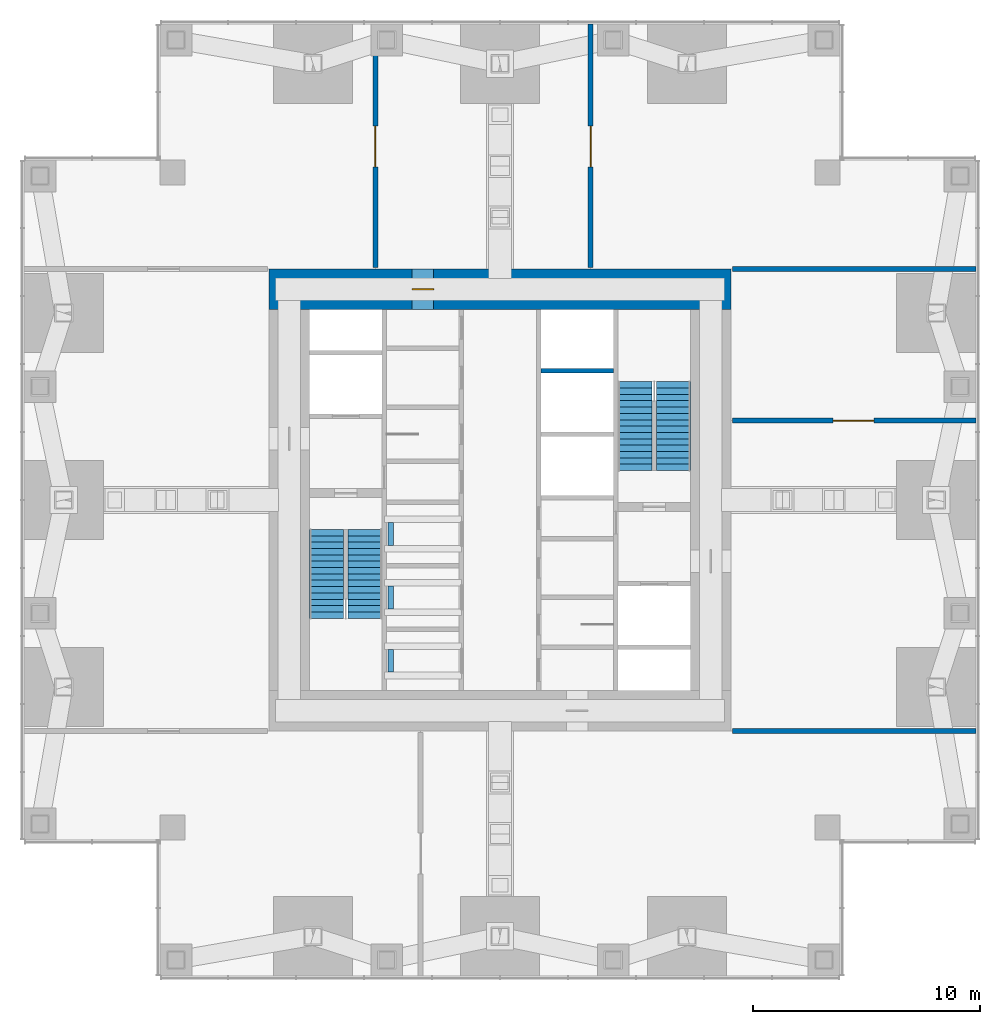
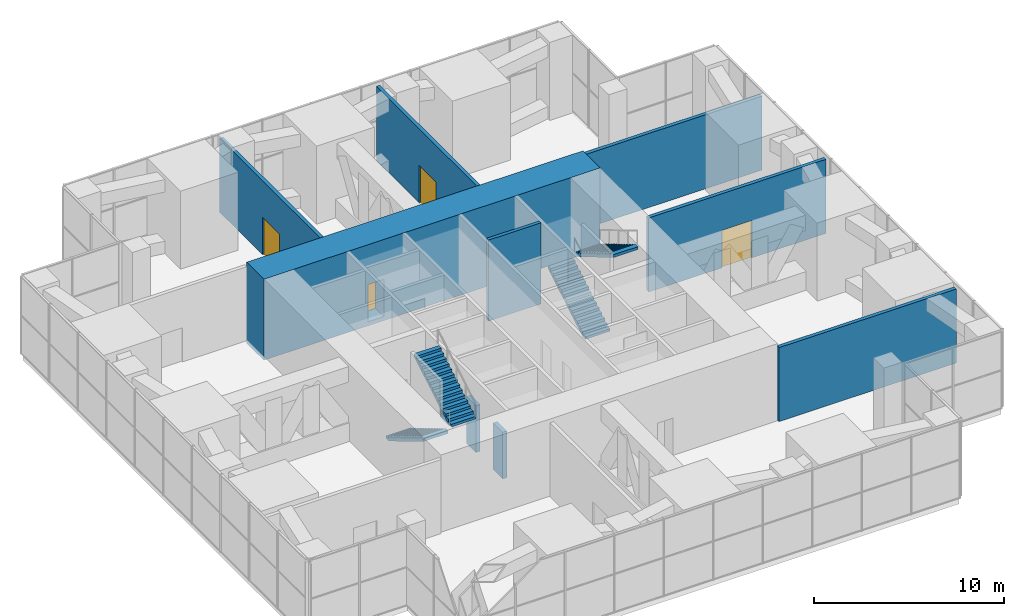
# One storey, part 12 of 13: 7 walls, 4 doors, 4 stair flights, 3 discrete accessories, 4 openings, 2 elements without a shape of their own.
"""IFC4 building model written with IfcOpenShell, lengths in metres."""

from ifc_helpers import new_model, si_unit, direction, frame, frame_2d, origin, origin_2d, place, context, subcontext, project, spatial, polyline, rectangle, outline, extrude, material, layer, layer_set, type_object, element, fill, aggregate, save


model = new_model("IFC4")

# Units and contexts
model_context = context("Model", 3, precision=1e-05, world=origin(), true_north=direction((0.0, 1.0)))
body_context = subcontext(model_context, "Body", "Model", "MODEL_VIEW")
ifc_project = project(units=[si_unit("LENGTHUNIT", "METRE"), si_unit("AREAUNIT", "SQUARE_METRE"), si_unit("VOLUMEUNIT", "CUBIC_METRE"), si_unit("PLANEANGLEUNIT", "RADIAN"), si_unit("MASSUNIT", "GRAM", prefix="KILO")], contexts=[model_context])

# Site, building, storey
site_placement = place(None, origin())
site = spatial("IfcSite", under=ifc_project, at=site_placement, CompositionType="ELEMENT")
building_placement = place(site_placement, origin())
building = spatial("IfcBuilding", under=site, at=building_placement, Name="Svetlomir Tower", CompositionType="ELEMENT")
storey_placement = place(building_placement, frame((0.0, 0.0, 86.5)))
storey = spatial("IfcBuildingStorey", under=building, at=storey_placement, Name="L20", CompositionType="ELEMENT", Elevation=86.5)

# Wall, opening, door
ifc_material_1 = material(Name="Dense concrete blockwork", Category="masonry")
ifc_layer_1 = layer(ifc_material_1, 0.215087890625)
ifc_layer_set_1 = layer_set([ifc_layer_1], Name="Dense concrete blockwork")
wall_type_1 = type_object("IfcWallType", Name="BLOCKWORK WALL 215", PredefinedType="PARTITIONING", material=ifc_layer_set_1)
wall_1_placement = place(storey_placement, frame((15.5, 31.25, 0.0), z_axis=(0.0, 0.0, 1.0), x_axis=(0.0, 1.0, 0.0)))
wall_1 = element("IfcWall", 1, at=wall_1_placement, inside=storey, type_object=wall_type_1, Name="Partition L20", PredefinedType="PARTITIONING", context=body_context, shape_type="SweptSolid", body=[
    extrude(rectangle(XDim=10.75, YDim=0.215087890625, at=frame_2d((5.375, 0.0))), origin(), (0.0, 0.0, 1.0), 4.75),
])
opening_1_placement = place(wall_1_placement, frame((4.449951171875, 0.0, 0.0)))
opening_1 = element("IfcOpeningElement", 2, at=opening_1_placement, cuts=wall_1, Name="Opening DP", PredefinedType="OPENING", context=body_context, shape_type="SweptSolid", body=[
    extrude(rectangle(XDim=1.800048828125, YDim=2.39990234375, at=frame_2d((0.89990234375, 1.199951171875))), frame((0.0, 0.11767578125, 0.0), z_axis=(0.0, -1.0, 0.0), x_axis=(1.0, 0.0, 0.0)), (0.0, 0.0, 1.0), 0.235107421875),
])
ifc_material_2 = material(Name="Steel fire door", Category="steel")
door_type_1 = type_object("IfcDoorType", Name="PLANT ROOM DOOR DP 1800x2400", OperationType="DOUBLE_DOOR_SINGLE_SWING", PredefinedType="DOOR", material=ifc_material_2)
door_1_placement = place(opening_1_placement, origin())
door_1 = element("IfcDoor", 3, at=door_1_placement, inside=storey, type_object=door_type_1, Name="Plant room - water tanks door L20", OperationType="DOUBLE_DOOR_SINGLE_SWING", OverallHeight=2.39990234375, OverallWidth=1.800048828125, PredefinedType="DOOR", context=body_context, shape_type="SweptSolid", body=[
    extrude(rectangle(XDim=1.800048828125, YDim=2.39990234375, at=frame_2d((0.89990234375, 1.199951171875))), frame((0.0, 0.02490234375, 0.0), z_axis=(0.0, -1.0, 0.0), x_axis=(1.0, 0.0, 0.0)), (0.0, 0.0, 1.0), 0.050048828125),
])
fill(opening_1, door_1)

wall_2_placement = place(storey_placement, frame((25.0, 31.25, 0.0), z_axis=(0.0, 0.0, 1.0), x_axis=(0.0, 1.0, 0.0)))
wall_2 = element("IfcWall", 4, at=wall_2_placement, inside=storey, type_object=wall_type_1, Name="Partition L20", PredefinedType="PARTITIONING", context=body_context, shape_type="SweptSolid", body=[
    extrude(rectangle(XDim=10.75, YDim=0.215087890625, at=frame_2d((5.375, 0.0))), origin(), (0.0, 0.0, 1.0), 4.75),
])
opening_2_placement = place(wall_2_placement, frame((4.449951171875, 0.0, 0.0)))
opening_2 = element("IfcOpeningElement", 5, at=opening_2_placement, cuts=wall_2, Name="Opening DP", PredefinedType="OPENING", context=body_context, shape_type="SweptSolid", body=[
    extrude(rectangle(XDim=1.800048828125, YDim=2.39990234375, at=frame_2d((0.89990234375, 1.199951171875))), frame((0.0, 0.11767578125, 0.0), z_axis=(0.0, -1.0, 0.0), x_axis=(1.0, 0.0, 0.0)), (0.0, 0.0, 1.0), 0.235107421875),
])
door_2_placement = place(opening_2_placement, origin())
door_2 = element("IfcDoor", 6, at=door_2_placement, inside=storey, type_object=door_type_1, Name="Plant room - sprinkler valves door L20", OperationType="DOUBLE_DOOR_SINGLE_SWING", OverallHeight=2.39990234375, OverallWidth=1.800048828125, PredefinedType="DOOR", context=body_context, shape_type="SweptSolid", body=[
    extrude(rectangle(XDim=1.800048828125, YDim=2.39990234375, at=frame_2d((0.89990234375, 1.199951171875))), frame((0.0, 0.02490234375, 0.0), z_axis=(0.0, -1.0, 0.0), x_axis=(1.0, 0.0, 0.0)), (0.0, 0.0, 1.0), 0.050048828125),
])
fill(opening_2, door_2)

# Wall
wall_3_placement = place(storey_placement, frame((31.25, 10.800048828125, 0.0), z_axis=(0.0, 0.0, 1.0), x_axis=(1.0, 0.0, 0.0)))
element("IfcWall", 7, at=wall_3_placement, inside=storey, type_object=wall_type_1, Name="Partition L20", PredefinedType="PARTITIONING", context=body_context, shape_type="SweptSolid", body=[
    extrude(rectangle(XDim=10.75, YDim=0.215087890625, at=frame_2d((5.375, 0.0))), origin(), (0.0, 0.0, 1.0), 4.75),
])

# Wall, opening, door
wall_4_placement = place(storey_placement, frame((31.25, 24.5, 0.0), z_axis=(0.0, 0.0, 1.0), x_axis=(1.0, 0.0, 0.0)))
wall_4 = element("IfcWall", 8, at=wall_4_placement, inside=storey, type_object=wall_type_1, Name="Partition L20", PredefinedType="PARTITIONING", context=body_context, shape_type="SweptSolid", body=[
    extrude(rectangle(XDim=10.75, YDim=0.215087890625, at=frame_2d((5.375, 0.0))), origin(), (0.0, 0.0, 1.0), 4.75),
])
opening_3_placement = place(wall_4_placement, frame((4.449951171875, 0.0, 0.0)))
opening_3 = element("IfcOpeningElement", 9, at=opening_3_placement, cuts=wall_4, Name="Opening DP", PredefinedType="OPENING", context=body_context, shape_type="SweptSolid", body=[
    extrude(rectangle(XDim=1.800048828125, YDim=2.39990234375, at=frame_2d((0.89990234375, 1.199951171875))), frame((0.0, 0.11767578125, 0.0), z_axis=(0.0, -1.0, 0.0), x_axis=(1.0, 0.0, 0.0)), (0.0, 0.0, 1.0), 0.235107421875),
])
door_3_placement = place(opening_3_placement, origin())
door_3 = element("IfcDoor", 10, at=door_3_placement, inside=storey, type_object=door_type_1, Name="Plant room - standby generator door L20", OperationType="DOUBLE_DOOR_SINGLE_SWING", OverallHeight=2.39990234375, OverallWidth=1.800048828125, PredefinedType="DOOR", context=body_context, shape_type="SweptSolid", body=[
    extrude(rectangle(XDim=1.800048828125, YDim=2.39990234375, at=frame_2d((0.89990234375, 1.199951171875))), frame((0.0, 0.02490234375, 0.0), z_axis=(0.0, -1.0, 0.0), x_axis=(1.0, 0.0, 0.0)), (0.0, 0.0, 1.0), 0.050048828125),
])
fill(opening_3, door_3)

# Walls
wall_5_placement = place(storey_placement, frame((31.25, 31.199951171875, 0.0), z_axis=(0.0, 0.0, 1.0), x_axis=(1.0, 0.0, 0.0)))
element("IfcWall", 11, at=wall_5_placement, inside=storey, type_object=wall_type_1, Name="Partition L20", PredefinedType="PARTITIONING", context=body_context, shape_type="SweptSolid", body=[
    extrude(rectangle(XDim=10.75, YDim=0.215087890625, at=frame_2d((5.375, 0.0))), origin(), (0.0, 0.0, 1.0), 4.75),
])
ifc_material_3 = material(Name="Concrete C60/75", Category="concrete")
ifc_layer_2 = layer(ifc_material_3, 0.199951171875)
ifc_layer_set_2 = layer_set([ifc_layer_2], Name="Concrete C60/75")
wall_type_2 = type_object("IfcWallType", Name="CORE INNER WALL 200", PredefinedType="SHEAR", material=ifc_layer_set_2)
wall_6_placement = place(storey_placement, frame((22.800048828125, 26.699951171875, -0.25), z_axis=(0.0, 0.0, 1.0), x_axis=(1.0, 0.0, 0.0)))
element("IfcWall", 12, at=wall_6_placement, inside=storey, type_object=wall_type_2, Name="Core inner wall 22.8-26/26.7 L20", PredefinedType="SHEAR", context=body_context, shape_type="SweptSolid", body=[
    extrude(rectangle(XDim=3.199951171875, YDim=0.199951171875, at=frame_2d((1.60009765625, 0.0))), origin(), (0.0, 0.0, 1.0), 5.199951171875),
])

# Wall, opening, door
ifc_material_4 = material(Name="Concrete C60/75", Category="concrete")
ifc_layer_3 = layer(ifc_material_4, 1.800048828125)
ifc_layer_set_3 = layer_set([ifc_layer_3], Name="Concrete C60/75")
wall_type_3 = type_object("IfcWallType", Name="CORE WALL 1800", PredefinedType="SHEAR", material=ifc_layer_set_3)
wall_7_placement = place(storey_placement, frame((10.800048828125, 30.300048828125, -0.25), z_axis=(0.0, 0.0, 1.0), x_axis=(1.0, 0.0, 0.0)))
wall_7 = element("IfcWall", 13, at=wall_7_placement, inside=storey, type_object=wall_type_3, Name="Core wall north L20", PredefinedType="SHEAR", context=body_context, shape_type="SweptSolid", body=[
    extrude(rectangle(XDim=20.39990234375, YDim=1.800048828125, at=frame_2d((10.199951171875, 0.0))), origin(), (0.0, 0.0, 1.0), 5.199951171875),
])
opening_4_placement = place(wall_7_placement, frame((6.324951171875, 0.0, 0.25)))
opening_4 = element("IfcOpeningElement", 14, at=opening_4_placement, cuts=wall_7, Name="Opening DP2", PredefinedType="OPENING", context=body_context, shape_type="SweptSolid", body=[
    extrude(rectangle(XDim=0.949951171875, YDim=2.39990234375, at=frame_2d((0.47509765625, 1.199951171875))), frame((0.0, 0.91015625, 0.0), z_axis=(0.0, -1.0, 0.0), x_axis=(1.0, 0.0, 0.0)), (0.0, 0.0, 1.0), 1.820068359375),
])
ifc_material_5 = material(Name="Steel fire door", Category="steel")
door_type_2 = type_object("IfcDoorType", Name="PLANT ROOM DOOR DP2 950x2400", OperationType="SINGLE_SWING_LEFT", PredefinedType="DOOR", material=ifc_material_5)
door_4_placement = place(opening_4_placement, origin())
door_4 = element("IfcDoor", 15, at=door_4_placement, inside=storey, type_object=door_type_2, Name="Core north corridor plant door L20", OperationType="SINGLE_SWING_LEFT", OverallHeight=2.39990234375, OverallWidth=0.949951171875, PredefinedType="DOOR", context=body_context, shape_type="SweptSolid", body=[
    extrude(rectangle(XDim=0.949951171875, YDim=2.39990234375, at=frame_2d((0.47509765625, 1.199951171875))), frame((0.0, 0.02490234375, 0.0), z_axis=(0.0, -1.0, 0.0), x_axis=(1.0, 0.0, 0.0)), (0.0, 0.0, 1.0), 0.050048828125),
])
fill(opening_4, door_4)

# Stair, stair flights
ifc_material_6 = material(Name="Concrete C60/75", Category="concrete")
stair_type = type_object("IfcStairType", Name="EXIT STAIR 3200 RISE 5000", PredefinedType="HALF_TURN_STAIR", material=ifc_material_6)
stair_1_placement = place(storey_placement, origin())
stair_1 = element("IfcStair", 16, at=stair_1_placement, inside=storey, type_object=stair_type, Name="Stair S1 L20 to L21", PredefinedType="HALF_TURN_STAIR")
ifc_material_7 = material(Name="Concrete C60/75", Category="concrete")
stair_flight_type = type_object("IfcStairFlightType", Name="STAIR FLIGHT 1500 OF 15 RISERS", PredefinedType="STRAIGHT", material=ifc_material_7)
stair_flight_1_placement = place(storey_placement, frame((13.35009765625, 19.699951171875, 0.0), z_axis=(0.0, 0.0, 1.0), x_axis=(0.0, -1.0, 0.0)))
stair_flight_1 = element("IfcStairFlight", 17, at=stair_flight_1_placement, type_object=stair_flight_type, Name="S1 flight 1", NumberOfRisers=15, NumberOfTreads=14, PredefinedType="STRAIGHT", RiserHeight=0.166666667, TreadLength=0.28, context=body_context, shape_type="SweptSolid", body=[
    extrude(outline(polyline([(0.0, 0.0), (0.0, 0.166748046875), (0.280029296875, 0.166748046875), (0.280029296875, 0.333251953125), (0.56005859375, 0.333251953125), (0.56005859375, 0.5), (0.840087890625, 0.5), (0.840087890625, 0.666748046875), (1.1201171875, 0.666748046875), (1.1201171875, 0.833251953125), (1.39990234375, 0.833251953125), (1.39990234375, 1.0), (1.679931640625, 1.0), (1.679931640625, 1.166748046875), (1.9599609375, 1.166748046875), (1.9599609375, 1.333251953125), (2.239990234375, 1.333251953125), (2.239990234375, 1.5), (2.52001953125, 1.5), (2.52001953125, 1.666748046875), (2.800048828125, 1.666748046875), (2.800048828125, 1.833251953125), (3.080078125, 1.833251953125), (3.080078125, 2.0), (3.360107421875, 2.0), (3.360107421875, 2.166748046875), (3.639892578125, 2.166748046875), (3.639892578125, 2.333251953125), (3.919921875, 2.333251953125), (3.919921875, 2.5), (3.919921875, 2.158935546875), (0.29296875, 0.0), (0.0, 0.0)])), frame((0.0, 0.75, 0.0), z_axis=(0.0, -1.0, 0.0), x_axis=(1.0, 0.0, 0.0)), (0.0, 0.0, 1.0), 1.5),
])
stair_flight_2_placement = place(storey_placement, frame((15.050048828125, 15.780029296875, 2.5), z_axis=(0.0, 0.0, 1.0), x_axis=(0.0, 1.0, 0.0)))
stair_flight_2 = element("IfcStairFlight", 18, at=stair_flight_2_placement, type_object=stair_flight_type, Name="S1 flight 2", NumberOfRisers=15, NumberOfTreads=14, PredefinedType="STRAIGHT", RiserHeight=0.166666667, TreadLength=0.28, context=body_context, shape_type="SweptSolid", body=[
    extrude(outline(polyline([(0.0, 0.0), (0.0, 0.166748046875), (0.280029296875, 0.166748046875), (0.280029296875, 0.333251953125), (0.56005859375, 0.333251953125), (0.56005859375, 0.5), (0.840087890625, 0.5), (0.840087890625, 0.666748046875), (1.1201171875, 0.666748046875), (1.1201171875, 0.833251953125), (1.39990234375, 0.833251953125), (1.39990234375, 1.0), (1.679931640625, 1.0), (1.679931640625, 1.166748046875), (1.9599609375, 1.166748046875), (1.9599609375, 1.333251953125), (2.239990234375, 1.333251953125), (2.239990234375, 1.5), (2.52001953125, 1.5), (2.52001953125, 1.666748046875), (2.800048828125, 1.666748046875), (2.800048828125, 1.833251953125), (3.080078125, 1.833251953125), (3.080078125, 2.0), (3.360107421875, 2.0), (3.360107421875, 2.166748046875), (3.639892578125, 2.166748046875), (3.639892578125, 2.333251953125), (3.919921875, 2.333251953125), (3.919921875, 2.5), (3.919921875, 2.158935546875), (0.29296875, 0.0), (0.0, 0.0)])), frame((0.0, 0.75, 0.0), z_axis=(0.0, -1.0, 0.0), x_axis=(1.0, 0.0, 0.0)), (0.0, 0.0, 1.0), 1.5),
])
aggregate(stair_1, [stair_flight_1, stair_flight_2])

stair_2_placement = place(storey_placement, origin())
stair_2 = element("IfcStair", 19, at=stair_2_placement, inside=storey, type_object=stair_type, Name="Stair S2 L20 to L21", PredefinedType="HALF_TURN_STAIR")
stair_flight_3_placement = place(storey_placement, frame((26.949951171875, 22.300048828125, 0.0), z_axis=(0.0, 0.0, 1.0), x_axis=(0.0, 1.0, 0.0)))
stair_flight_3 = element("IfcStairFlight", 20, at=stair_flight_3_placement, type_object=stair_flight_type, Name="S2 flight 1", NumberOfRisers=15, NumberOfTreads=14, PredefinedType="STRAIGHT", RiserHeight=0.166666667, TreadLength=0.28, context=body_context, shape_type="SweptSolid", body=[
    extrude(outline(polyline([(0.0, 0.0), (0.0, 0.166748046875), (0.280029296875, 0.166748046875), (0.280029296875, 0.333251953125), (0.56005859375, 0.333251953125), (0.56005859375, 0.5), (0.840087890625, 0.5), (0.840087890625, 0.666748046875), (1.1201171875, 0.666748046875), (1.1201171875, 0.833251953125), (1.39990234375, 0.833251953125), (1.39990234375, 1.0), (1.679931640625, 1.0), (1.679931640625, 1.166748046875), (1.9599609375, 1.166748046875), (1.9599609375, 1.333251953125), (2.239990234375, 1.333251953125), (2.239990234375, 1.5), (2.52001953125, 1.5), (2.52001953125, 1.666748046875), (2.800048828125, 1.666748046875), (2.800048828125, 1.833251953125), (3.080078125, 1.833251953125), (3.080078125, 2.0), (3.360107421875, 2.0), (3.360107421875, 2.166748046875), (3.639892578125, 2.166748046875), (3.639892578125, 2.333251953125), (3.919921875, 2.333251953125), (3.919921875, 2.5), (3.919921875, 2.158935546875), (0.29296875, 0.0), (0.0, 0.0)])), frame((0.0, 0.75, 0.0), z_axis=(0.0, -1.0, 0.0), x_axis=(1.0, 0.0, 0.0)), (0.0, 0.0, 1.0), 1.5),
])
stair_flight_4_placement = place(storey_placement, frame((28.64990234375, 26.219970703125, 2.5), z_axis=(0.0, 0.0, 1.0), x_axis=(0.0, -1.0, 0.0)))
stair_flight_4 = element("IfcStairFlight", 21, at=stair_flight_4_placement, type_object=stair_flight_type, Name="S2 flight 2", NumberOfRisers=15, NumberOfTreads=14, PredefinedType="STRAIGHT", RiserHeight=0.166666667, TreadLength=0.28, context=body_context, shape_type="SweptSolid", body=[
    extrude(outline(polyline([(0.0, 0.0), (0.0, 0.166748046875), (0.280029296875, 0.166748046875), (0.280029296875, 0.333251953125), (0.56005859375, 0.333251953125), (0.56005859375, 0.5), (0.840087890625, 0.5), (0.840087890625, 0.666748046875), (1.1201171875, 0.666748046875), (1.1201171875, 0.833251953125), (1.39990234375, 0.833251953125), (1.39990234375, 1.0), (1.679931640625, 1.0), (1.679931640625, 1.166748046875), (1.9599609375, 1.166748046875), (1.9599609375, 1.333251953125), (2.239990234375, 1.333251953125), (2.239990234375, 1.5), (2.52001953125, 1.5), (2.52001953125, 1.666748046875), (2.800048828125, 1.666748046875), (2.800048828125, 1.833251953125), (3.080078125, 1.833251953125), (3.080078125, 2.0), (3.360107421875, 2.0), (3.360107421875, 2.166748046875), (3.639892578125, 2.166748046875), (3.639892578125, 2.333251953125), (3.919921875, 2.333251953125), (3.919921875, 2.5), (3.919921875, 2.158935546875), (0.29296875, 0.0), (0.0, 0.0)])), frame((0.0, 0.75, 0.0), z_axis=(0.0, -1.0, 0.0), x_axis=(1.0, 0.0, 0.0)), (0.0, 0.0, 1.0), 1.5),
])
aggregate(stair_2, [stair_flight_3, stair_flight_4])

# Discrete accessories
for number, where, z_axis, x_axis, name in (
    (22, (16.175048828125, 13.89990234375, 0.0), (0.0, 0.0, 1.0), (1.0, 0.0, 0.0), "Lift LA1 counterweight"),
    (23, (16.175048828125, 16.699951171875, 0.0), (0.0, 0.0, 1.0), (1.0, 0.0, 0.0), "Lift LA2 counterweight"),
    (24, (16.175048828125, 19.5, 0.0), (0.0, 0.0, 1.0), (1.0, 0.0, 0.0), "Lift LA3 counterweight"),
):
    element("IfcDiscreteAccessory", number, at=place(storey_placement, frame(where, z_axis=z_axis, x_axis=x_axis)), inside=storey, Name=name, ObjectType="LIFT COUNTERWEIGHT", PredefinedType="USERDEFINED", context=body_context, shape_type="SweptSolid", body=[
        extrude(rectangle(XDim=0.25, YDim=1.0, at=origin_2d()), origin(), (0.0, 0.0, 1.0), 3.0),
    ])

save(model, "model.ifc")
